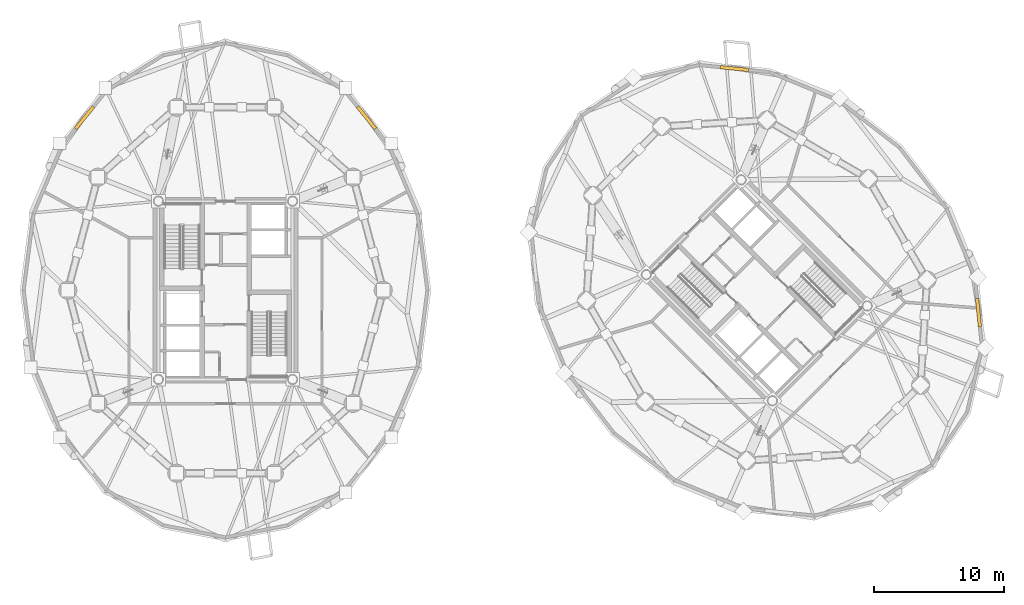
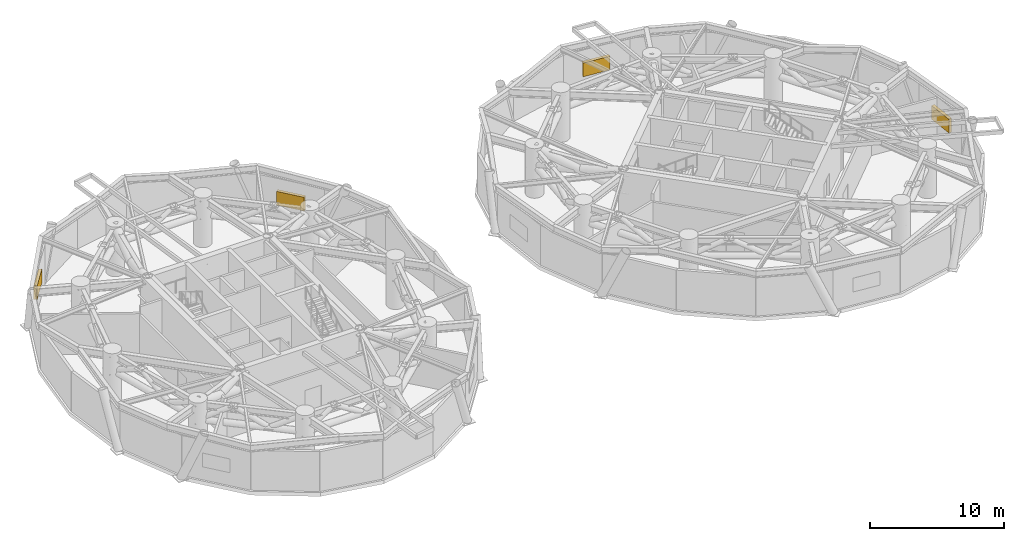
# One storey, part 16 of 16: 4 coverings.
"""IFC4 building model written with IfcOpenShell, lengths in metres."""

import ifcopenshell
import ifcopenshell.guid

model = None  # the IFC model being written
_history = None  # IfcOwnerHistory: only IFC2X3 demands one
_inside = {}  # id of a spatial element -> (the spatial element, [elements in it])
_under = {}  # id of a project, library or spatial element -> (it, [spatial elements below it])
_declared = {}  # id of a project -> (the project, [libraries it declares])
_typed = {}  # id of a type object -> (the type object, [elements of that type])
_made_of = {}  # id of a material, layer set ... -> (it, [elements and type objects made of it])


def new_model(schema):
    """Start an empty IFC model of exactly this schema.

    Asked for "IFC4X3", IfcOpenShell would pick the latest addendum, in which some entities
    have other attributes; the version numbers below select the first issue.
    IFC2X3 requires an IfcOwnerHistory on every rooted entity: one is made here for all.
    """
    global model, _history
    if schema == "IFC4X3":
        model = ifcopenshell.file(schema_version=(4, 3, 0, 0))
    else:
        model = ifcopenshell.file(schema=schema)
    _inside.clear()
    _under.clear()
    _declared.clear()
    _typed.clear()
    _made_of.clear()
    _history = None
    if model.schema == "IFC2X3":
        org = make("IfcOrganization", Name="unknown")
        user = make(
            "IfcPersonAndOrganization",
            ThePerson=make("IfcPerson", FamilyName="unknown"),
            TheOrganization=org,
        )
        app = make(
            "IfcApplication",
            ApplicationDeveloper=org,
            Version="unknown",
            ApplicationFullName="unknown",
            ApplicationIdentifier="unknown",
        )
        _history = make(
            "IfcOwnerHistory",
            OwningUser=user,
            OwningApplication=app,
            ChangeAction="ADDED",
            CreationDate=0,
        )
    return model


def make(cls, **values):
    """One entity of the class cls with the attributes given. An attribute that is None is left unset."""
    return model.create_entity(
        cls, **{name: value for name, value in values.items() if value is not None}
    )


def rooted(cls, **values):
    """An entity with a GlobalId (a new one), such as an element, a storey or a relation."""
    return make(cls, GlobalId=ifcopenshell.guid.new(), OwnerHistory=_history, **values)


def si_unit(unit_type, name, prefix=None):
    """IfcSIUnit, for example si_unit("LENGTHUNIT", "METRE", prefix="MILLI")."""
    return make("IfcSIUnit", UnitType=unit_type, Prefix=prefix, Name=name)


def assignment(units):
    """IfcUnitAssignment: the units of a project."""
    return None if units is None else make("IfcUnitAssignment", Units=units)


def point(xyz):
    """IfcCartesianPoint."""
    return None if xyz is None else make("IfcCartesianPoint", Coordinates=xyz)


def direction(xyz):
    """IfcDirection."""
    return None if xyz is None else make("IfcDirection", DirectionRatios=xyz)


def frame(location, z_axis=None, x_axis=None):
    """IfcAxis2Placement3D, a coordinate frame: its origin and axes. An axis left out is left unset."""
    return make(
        "IfcAxis2Placement3D",
        Location=point(location),
        Axis=direction(z_axis),
        RefDirection=direction(x_axis),
    )


def frame_2d(location, x_axis=None):
    """IfcAxis2Placement2D, a coordinate frame in the plane: its origin and x axis."""
    return make(
        "IfcAxis2Placement2D", Location=point(location), RefDirection=direction(x_axis)
    )


def origin():
    """The frame at (0, 0, 0) with its axes left unset."""
    return frame((0.0, 0.0, 0.0))


def origin_2d():
    """The frame at (0, 0) in the plane with its x axis left unset."""
    return frame_2d((0.0, 0.0))


def place(relative_to, where):
    """IfcLocalPlacement: puts the frame where relative to a parent placement (None: the world)."""
    return make(
        "IfcLocalPlacement", PlacementRelTo=relative_to, RelativePlacement=where
    )


def context(
    kind, dimensions, precision=None, world=None, true_north=None, identifier=None
):
    """IfcGeometricRepresentationContext, for example the 3D "Model" context."""
    return make(
        "IfcGeometricRepresentationContext",
        ContextIdentifier=identifier,
        ContextType=kind,
        CoordinateSpaceDimension=dimensions,
        Precision=precision,
        WorldCoordinateSystem=world,
        TrueNorth=true_north,
    )


def subcontext(parent, identifier, kind, view, scale=None):
    """IfcGeometricRepresentationSubContext, for example "Body" below "Model"."""
    return make(
        "IfcGeometricRepresentationSubContext",
        ContextIdentifier=identifier,
        ContextType=kind,
        ParentContext=parent,
        TargetScale=scale,
        TargetView=view,
    )


def project(units=None, contexts=None):
    """IfcProject with its units and contexts."""
    return rooted(
        "IfcProject",
        Name="project",
        RepresentationContexts=contexts,
        UnitsInContext=assignment(units),
    )


def spatial(cls, under=None, at=None, **own):
    """A site, building, storey or space (cls), placed at a placement, below another one or the project."""
    s = rooted(cls, ObjectPlacement=at, **own)
    if under is not None:
        _under.setdefault(under.id(), (under, []))[1].append(s)
    return s


def profile(cls, at=None, kind="AREA", **sizes):
    """A parametric profile (cls). Its sizes go by their IFC names, for example OverallWidth=200.0."""
    return make(cls, ProfileType=kind, Position=at, **sizes)


def rectangle(**sizes):
    """IfcRectangleProfileDef."""
    return profile("IfcRectangleProfileDef", **sizes)


def extrude(swept, where, along, depth):
    """IfcExtrudedAreaSolid: the profile swept, set in the frame where, extruded along a direction by depth."""
    return make(
        "IfcExtrudedAreaSolid",
        SweptArea=swept,
        Position=where,
        ExtrudedDirection=direction(along),
        Depth=depth,
    )


def shape(context_of_items, identifier, shape_type, items):
    """IfcShapeRepresentation: the items that make up one representation, for example the "Body"."""
    return make(
        "IfcShapeRepresentation",
        ContextOfItems=context_of_items,
        RepresentationIdentifier=identifier,
        RepresentationType=shape_type,
        Items=items,
    )


def source(mapping_origin, context_of_items, identifier, shape_type, items):
    """IfcRepresentationMap: a shape defined once, which mapped items show again and again."""
    return make(
        "IfcRepresentationMap",
        MappingOrigin=mapping_origin,
        MappedRepresentation=shape(context_of_items, identifier, shape_type, items),
    )


def transform(
    local_origin,
    x_axis=None,
    y_axis=None,
    z_axis=None,
    scale=None,
    scale2=None,
    scale3=None,
    uniform=True,
):
    """IfcCartesianTransformationOperator3D, or its non-uniform kind. x_axis, y_axis, z_axis: its Axis1, 2, 3."""
    if uniform:
        return make(
            "IfcCartesianTransformationOperator3D",
            Axis1=direction(x_axis),
            Axis2=direction(y_axis),
            LocalOrigin=point(local_origin),
            Scale=scale,
            Axis3=direction(z_axis),
        )
    return make(
        "IfcCartesianTransformationOperator3DnonUniform",
        Axis1=direction(x_axis),
        Axis2=direction(y_axis),
        LocalOrigin=point(local_origin),
        Scale=scale,
        Axis3=direction(z_axis),
        Scale2=scale2,
        Scale3=scale3,
    )


def mapped(mapping_source, mapping_target):
    """IfcMappedItem: shows the shape of a source again, moved by a transform."""
    return make(
        "IfcMappedItem", MappingSource=mapping_source, MappingTarget=mapping_target
    )


def material(Name=None, Category=None):
    """IfcMaterial."""
    return make("IfcMaterial", Name=Name, Category=Category)


def made_of(thing, what):
    """Note that an element or type object is made of a material, layer set ...; save() writes the relation."""
    if what is not None:
        _made_of.setdefault(what.id(), (what, []))[1].append(thing)
    return thing


def type_object(cls, material=None, **own):
    """A type object (cls), such as IfcWallType, which elements share."""
    return made_of(rooted(cls, **own), material)


def element(
    cls,
    number,
    at=None,
    inside=None,
    cuts=None,
    type_object=None,
    material=None,
    context=None,
    identifier="Body",
    shape_type=None,
    held_by="IfcProductDefinitionShape",
    body=None,
    shapes=None,
    **own,
):
    """One element of the class cls, such as IfcWall. Its Tag is "e" and its number.

    at: its placement. inside: the storey or other place that contains it. cuts: it is an
    opening in that element (IfcRelVoidsElement). A single representation is given by context,
    identifier, shape_type and body (its items); several are given by shapes. held_by: the class
    of the entity that holds the representations. save() writes the other relations.
    """
    e = rooted(cls, Tag="e%d" % number, ObjectPlacement=at, **own)
    if body is not None:
        shapes = [shape(context, identifier, shape_type, body)]
    if shapes is not None:
        e.Representation = make(held_by, Representations=shapes)
    if inside is not None:
        _inside.setdefault(inside.id(), (inside, []))[1].append(e)
    if cuts is not None:
        rooted(
            "IfcRelVoidsElement", RelatingBuildingElement=cuts, RelatedOpeningElement=e
        )
    if type_object is not None:
        _typed.setdefault(type_object.id(), (type_object, []))[1].append(e)
    return made_of(e, material)


def aggregate(whole, parts):
    """IfcRelAggregates: a whole, such as a stair, and the parts it consists of."""
    return rooted("IfcRelAggregates", RelatingObject=whole, RelatedObjects=parts)


def save(model, path):
    """Write the relations noted so far, then the file.

    IfcRelAggregates (storeys below a building ...), IfcRelContainedInSpatialStructure (elements
    in a storey), IfcRelDefinesByType, IfcRelAssociatesMaterial and IfcRelDeclares: one each for
    every whole, place, type object, material and project.
    """
    for whole, parts in _under.values():
        aggregate(whole, parts)
    for where, things in _inside.values():
        rooted(
            "IfcRelContainedInSpatialStructure",
            RelatedElements=things,
            RelatingStructure=where,
        )
    for kind, things in _typed.values():
        rooted("IfcRelDefinesByType", RelatedObjects=things, RelatingType=kind)
    for what, things in _made_of.values():
        rooted("IfcRelAssociatesMaterial", RelatedObjects=things, RelatingMaterial=what)
    for by, libraries in _declared.values():
        rooted("IfcRelDeclares", RelatingContext=by, RelatedDefinitions=libraries)
    model.write(path)


model = new_model("IFC4")

# Units and contexts
model_context = context("Model", 3, precision=1e-05, world=origin(), true_north=direction((0.0, 1.0)))
body_context = subcontext(model_context, "Body", "Model", "MODEL_VIEW")
ifc_project = project(units=[si_unit("LENGTHUNIT", "METRE"), si_unit("AREAUNIT", "SQUARE_METRE"), si_unit("VOLUMEUNIT", "CUBIC_METRE"), si_unit("PLANEANGLEUNIT", "RADIAN"), si_unit("MASSUNIT", "GRAM", prefix="KILO")], contexts=[model_context])

# Site, building, storey
site_placement = place(None, origin())
site = spatial("IfcSite", under=ifc_project, at=site_placement, CompositionType="ELEMENT")
building_placement = place(site_placement, origin())
building = spatial("IfcBuilding", under=site, at=building_placement, Name="Cununo Teusaquillo Station Towers", CompositionType="ELEMENT")
storey_placement = place(building_placement, frame((0.0, 0.0, 65.64990234375)))
storey = spatial("IfcBuildingStorey", under=building, at=storey_placement, Name="L20", CompositionType="ELEMENT", Elevation=65.64990234375)

# Coverings
ifc_material = material(Name="Anodised dark bronze aluminium EN AW-6063-T6", Category="aluminium")
covering_type = type_object("IfcCoveringType", Name="COV-LOUVRE-ACOUSTIC", PredefinedType="USERDEFINED", material=ifc_material)
shared_shape = source(origin(), body_context, "Body", "SweptSolid", [
    extrude(rectangle(XDim=2.199951171875, YDim=0.260009765625, at=origin_2d()), origin(), (0.0, 0.0, 1.0), 1.25),
])
for number, where, z_axis, x_axis, name in (
    (1, (27.3818359375, 37.818603515625, 1.18310546875), (0.0, 0.0, 1.0), (0.632705328563, -0.774392644082, 0.0), "L20 Tower A Acoustic Plant Louvre C02"),
    (2, (5.6181640625, 37.818603515625, 1.18310546875), (0.0, 0.0, 1.0), (0.632705328563, 0.774392644082, 0.0), "L20 Tower A Acoustic Plant Louvre C07"),
    (3, (55.777099609375, 41.6123046875, 1.18310546875), (0.0, 0.0, 1.0), (0.994968518251, -0.100188061612, 0.0), "L20 Tower B Acoustic Plant Louvre C02"),
    (4, (74.6123046875, 22.777099609375, 1.18310546875), (0.0, 0.0, 1.0), (0.100188061612, -0.994968518251, 0.0), "L20 Tower B Acoustic Plant Louvre C17"),
):
    element("IfcCovering", number, at=place(storey_placement, frame(where, z_axis=z_axis, x_axis=x_axis)), inside=storey, type_object=covering_type, Name=name, ObjectType="LOUVRE", PredefinedType="USERDEFINED", context=body_context, shape_type="MappedRepresentation", body=[
        mapped(shared_shape, transform((0.0, 0.0, 0.0), x_axis=(1.0, 0.0, 0.0), y_axis=(0.0, 1.0, 0.0), z_axis=(0.0, 0.0, 1.0), scale=1.0)),
    ])

save(model, "model.ifc")
